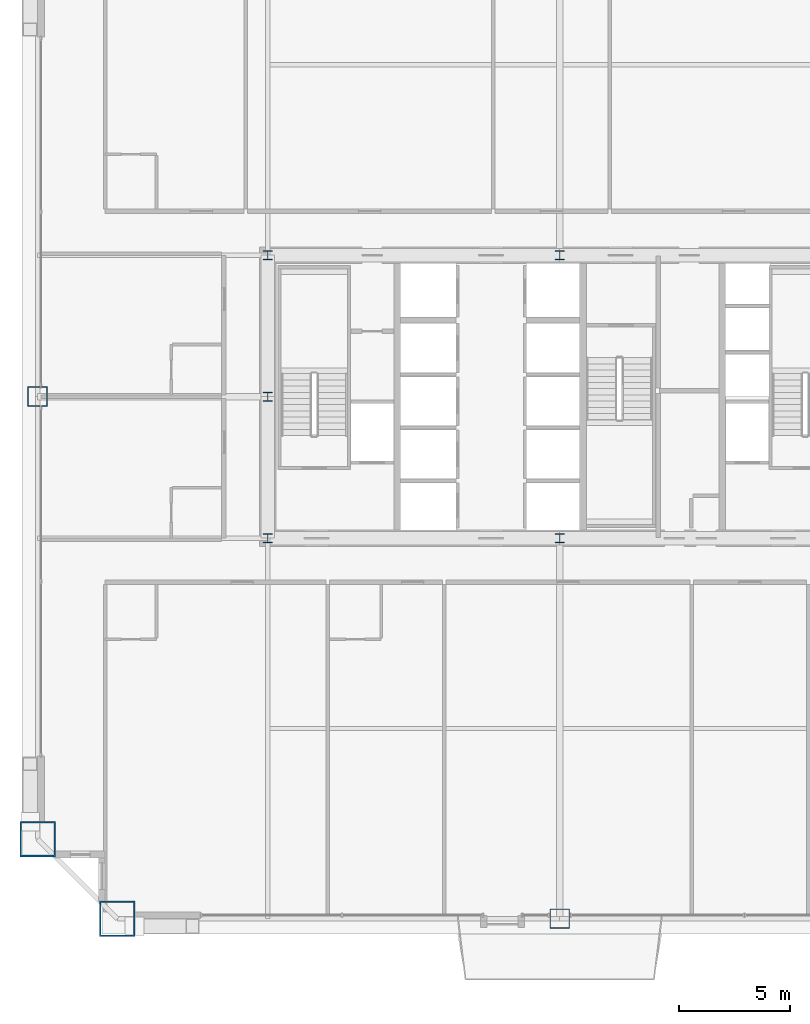
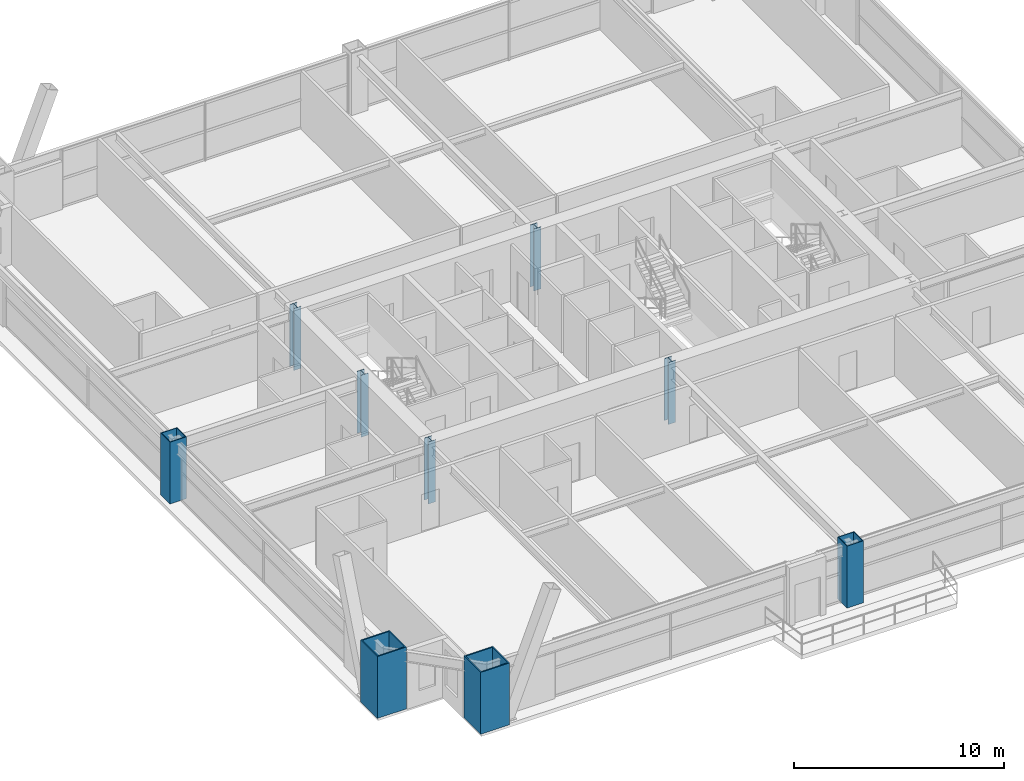
# One storey, part 1 of 43: 9 columns.
"""IFC4 building model written with IfcOpenShell, lengths in metres."""

from ifc_helpers import new_model, si_unit, direction, frame, origin, origin_2d, place, context, subcontext, project, spatial, hollow_rectangle, i_section, extrude, source, transform, mapped, material, material_profile, profile_set, type_object, element, save


model = new_model("IFC4")

# Units and contexts
model_context = context("Model", 3, precision=1e-05, world=origin(), true_north=direction((0.0, 1.0)))
body_context = subcontext(model_context, "Body", "Model", "MODEL_VIEW")
ifc_project = project(units=[si_unit("LENGTHUNIT", "METRE"), si_unit("AREAUNIT", "SQUARE_METRE"), si_unit("VOLUMEUNIT", "CUBIC_METRE"), si_unit("PLANEANGLEUNIT", "RADIAN"), si_unit("MASSUNIT", "GRAM", prefix="KILO"), si_unit("THERMODYNAMICTEMPERATUREUNIT", "KELVIN"), si_unit("POWERUNIT", "WATT")], contexts=[model_context])

# Site, building, storey
site_placement = place(None, origin())
site = spatial("IfcSite", under=ifc_project, at=site_placement, CompositionType="ELEMENT")
building_placement = place(site_placement, origin())
building = spatial("IfcBuilding", under=site, at=building_placement, Name="Yuzanri Waterfront Tower", CompositionType="ELEMENT")
storey_placement = place(building_placement, frame((0.0, 0.0, 138.0)))
storey = spatial("IfcBuildingStorey", under=building, at=storey_placement, Name="L36", CompositionType="ELEMENT", Elevation=138.0)

# Columns
ifc_material_1 = material(Name="Steel Q390GJC", Category="steel")
ifc_material_profile_1 = material_profile(ifc_material_1, hollow_rectangle(XDim=0.89990234375, YDim=0.89990234375, WallThickness=0.0419921875, at=origin_2d()), Name="RHS 900x900x42")
ifc_profile_set_1 = profile_set([ifc_material_profile_1], Name="Steel Q390GJC")
column_type_1 = type_object("IfcColumnType", Name="Frame Column Q390GJC RHS 900x900x42", PredefinedType="COLUMN", material=ifc_profile_set_1)
shared_shape_1 = source(origin(), body_context, "Body", "SweptSolid", [
    extrude(hollow_rectangle(XDim=0.89990234375, YDim=0.89990234375, WallThickness=0.0419921875, at=origin_2d()), origin(), (0.0, 0.0, 1.0), 3.60009765625),
])
for number, where, z_axis, x_axis, name in (
    (1, (37.0, 2.199951171875, 0.0), (0.0, 0.0, 1.0), (1.0, 0.0, 0.0), "L36 Perimeter Frame Column S2"),
    (2, (13.39990234375, 25.800048828125, 0.0), (0.0, 0.0, 1.0), (1.0, 0.0, 0.0), "L36 Perimeter Frame Column W2"),
):
    element("IfcColumn", number, at=place(storey_placement, frame(where, z_axis=z_axis, x_axis=x_axis)), inside=storey, type_object=column_type_1, Name=name, PredefinedType="COLUMN", context=body_context, shape_type="MappedRepresentation", body=[
        mapped(shared_shape_1, transform((0.0, 0.0, 0.0), scale=1.0)),
    ])
ifc_material_2 = material(Name="Steel Q420GJC", Category="steel")
ifc_material_profile_2 = material_profile(ifc_material_2, hollow_rectangle(XDim=1.60009765625, YDim=1.60009765625, WallThickness=0.070068359375, at=origin_2d()), Name="RHS 1600x1600x70")
ifc_profile_set_2 = profile_set([ifc_material_profile_2], Name="Steel Q420GJC")
column_type_2 = type_object("IfcColumnType", Name="Mega Column Q420GJC RHS 1600x1600x70", PredefinedType="COLUMN", material=ifc_profile_set_2)
shared_shape_2 = source(origin(), body_context, "Body", "SweptSolid", [
    extrude(hollow_rectangle(XDim=1.60009765625, YDim=1.60009765625, WallThickness=0.070068359375, at=origin_2d()), origin(), (0.0, 0.0, 1.0), 3.60009765625),
])
for number, where, z_axis, x_axis, name in (
    (3, (17.0, 2.199951171875, 0.0), (0.0, 0.0, 1.0), (1.0, 0.0, 0.0), "L36 Perimeter Mega Column S1"),
    (4, (13.39990234375, 5.800048828125, 0.0), (0.0, 0.0, 1.0), (1.0, 0.0, 0.0), "L36 Perimeter Mega Column W1"),
):
    element("IfcColumn", number, at=place(storey_placement, frame(where, z_axis=z_axis, x_axis=x_axis)), inside=storey, type_object=column_type_2, Name=name, PredefinedType="COLUMN", context=body_context, shape_type="MappedRepresentation", body=[
        mapped(shared_shape_2, transform((0.0, 0.0, 0.0), scale=1.0)),
    ])
ifc_material_3 = material(Name="Steel Q355B", Category="steel")
ifc_material_profile_3 = material_profile(ifc_material_3, i_section(OverallWidth=0.39990234375, OverallDepth=0.39990234375, WebThickness=0.012939453125, FlangeThickness=0.02099609375, at=origin_2d()), Name="HW 400x400x13x21")
ifc_profile_set_3 = profile_set([ifc_material_profile_3], Name="Steel Q355B")
column_type_3 = type_object("IfcColumnType", Name="Core Post Q355B HW 400x400x13x21", PredefinedType="COLUMN", material=ifc_profile_set_3)
shared_shape_3 = source(origin(), body_context, "Body", "SweptSolid", [
    extrude(i_section(OverallWidth=0.39990234375, OverallDepth=0.39990234375, WebThickness=0.012939453125, FlangeThickness=0.02099609375, at=origin_2d()), origin(), (0.0, 0.0, 1.0), 3.60009765625),
])
for number, where, z_axis, x_axis, name in (
    (5, (23.800048828125, 19.39990234375, 0.0), (0.0, 0.0, 1.0), (1.0, 0.0, 0.0), "L36 Core Boundary Column CP1"),
    (6, (37.0, 19.39990234375, 0.0), (0.0, 0.0, 1.0), (1.0, 0.0, 0.0), "L36 Core Boundary Column CP2"),
    (7, (23.800048828125, 25.800048828125, 0.0), (0.0, 0.0, 1.0), (1.0, 0.0, 0.0), "L36 Core Boundary Column CP4"),
    (8, (23.800048828125, 32.199951171875, 0.0), (0.0, 0.0, 1.0), (1.0, 0.0, 0.0), "L36 Core Boundary Column CP6"),
    (9, (37.0, 32.199951171875, 0.0), (0.0, 0.0, 1.0), (1.0, 0.0, 0.0), "L36 Core Boundary Column CP7"),
):
    element("IfcColumn", number, at=place(storey_placement, frame(where, z_axis=z_axis, x_axis=x_axis)), inside=storey, type_object=column_type_3, Name=name, PredefinedType="COLUMN", context=body_context, shape_type="MappedRepresentation", body=[
        mapped(shared_shape_3, transform((0.0, 0.0, 0.0), scale=1.0)),
    ])

save(model, "model.ifc")
